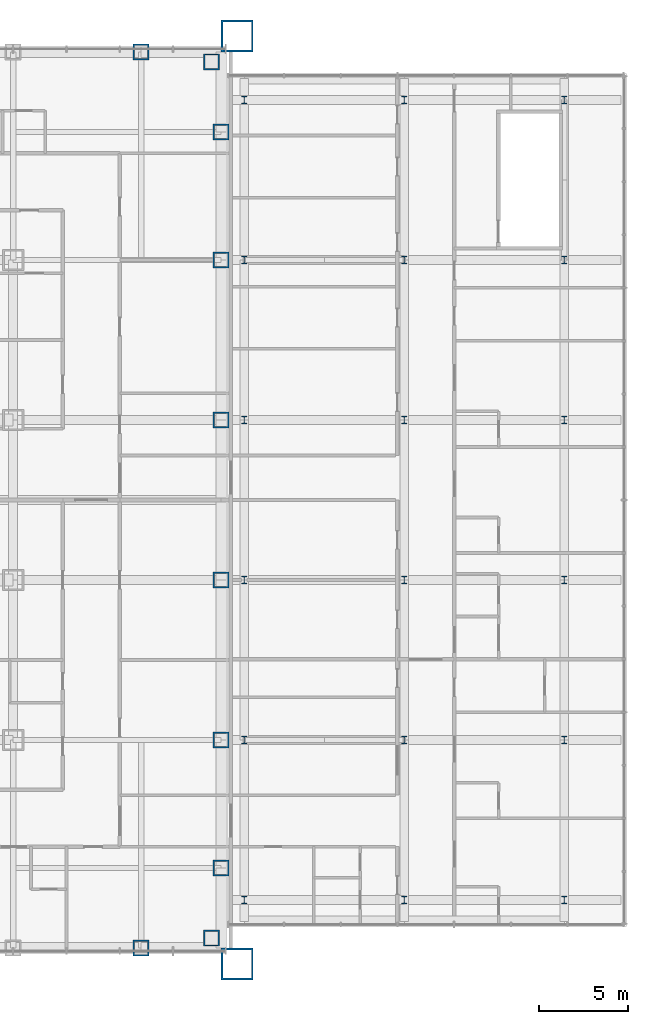
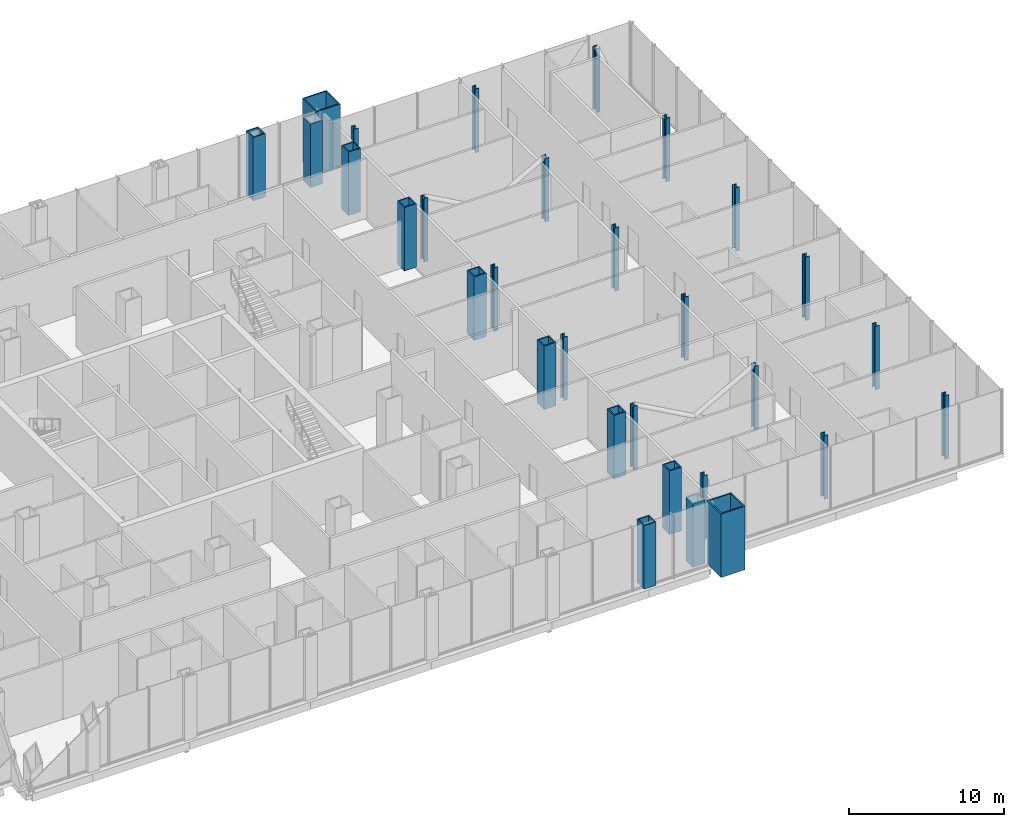
# One storey, part 4 of 28: 30 columns.
"""IFC4 building model written with IfcOpenShell, lengths in metres."""

from ifc_helpers import new_model, si_unit, direction, frame, origin, origin_2d, place, context, subcontext, project, spatial, hollow_rectangle, i_section, extrude, material, material_profile, profile_set, type_object, element, save


model = new_model("IFC4")

# Units and contexts
model_context = context("Model", 3, precision=1e-05, world=origin(), true_north=direction((0.0, 1.0)))
body_context = subcontext(model_context, "Body", "Model", "MODEL_VIEW")
ifc_project = project(units=[si_unit("LENGTHUNIT", "METRE"), si_unit("AREAUNIT", "SQUARE_METRE"), si_unit("VOLUMEUNIT", "CUBIC_METRE"), si_unit("PLANEANGLEUNIT", "RADIAN"), si_unit("MASSUNIT", "GRAM", prefix="KILO")], contexts=[model_context])

# Site, building, storey
site_placement = place(None, origin())
site = spatial("IfcSite", under=ifc_project, at=site_placement, CompositionType="ELEMENT")
building_placement = place(site_placement, origin())
building = spatial("IfcBuilding", under=site, at=building_placement, Name="Malebo Sky Hospital", CompositionType="ELEMENT")
storey_placement = place(building_placement, frame((0.0, 0.0, 21.0)))
storey = spatial("IfcBuildingStorey", under=building, at=storey_placement, Name="L04", CompositionType="ELEMENT", Elevation=21.0)

# Columns
ifc_material_1 = material(Name="Steel S460", Category="steel")
ifc_material_profile_1 = material_profile(ifc_material_1, hollow_rectangle(XDim=1.800048828125, YDim=1.800048828125, WallThickness=0.10009765625, at=origin_2d()), Name="BOX 1800x1800x100")
ifc_profile_set_1 = profile_set([ifc_material_profile_1], Name="Steel S460")
column_type_1 = type_object("IfcColumnType", Name="MEGA COLUMN BOX 1800x1800x100", PredefinedType="COLUMN", material=ifc_profile_set_1)
for number, where, z_axis, x_axis, name in (
    (1, (86.10009765625, 35.89990234375, 0.0), (0.0, 0.0, 1.0), (1.0, 0.0, 0.0), "Mega column SE L04"),
    (2, (86.10009765625, 88.10009765625, 0.0), (0.0, 0.0, 1.0), (1.0, 0.0, 0.0), "Mega column NE L04"),
):
    element("IfcColumn", number, at=place(storey_placement, frame(where, z_axis=z_axis, x_axis=x_axis)), inside=storey, type_object=column_type_1, Name=name, PredefinedType="COLUMN", context=body_context, shape_type="SweptSolid", body=[
        extrude(hollow_rectangle(XDim=1.800048828125, YDim=1.800048828125, WallThickness=0.10009765625, at=origin_2d()), origin(), (0.0, 0.0, 1.0), 5.0),
    ])
ifc_material_profile_2 = material_profile(ifc_material_1, hollow_rectangle(XDim=0.89990234375, YDim=0.89990234375, WallThickness=0.080078125, at=origin_2d()), Name="BOX 900x900x80")
ifc_profile_set_2 = profile_set([ifc_material_profile_2], Name="Steel S460")
column_type_2 = type_object("IfcColumnType", Name="PERIMETER COLUMN BOX 900x900x80", PredefinedType="COLUMN", material=ifc_profile_set_2)
for number, where, z_axis, x_axis, name in (
    (3, (85.199951171875, 41.300048828125, 0.0), (0.0, 0.0, 1.0), (1.0, 0.0, 0.0), "Column PC8 L04"),
    (4, (85.199951171875, 48.5, 0.0), (0.0, 0.0, 1.0), (1.0, 0.0, 0.0), "Column PC8 L04"),
    (5, (85.199951171875, 57.5, 0.0), (0.0, 0.0, 1.0), (1.0, 0.0, 0.0), "Column PC8 L04"),
    (6, (85.199951171875, 66.5, 0.0), (0.0, 0.0, 1.0), (1.0, 0.0, 0.0), "Column PC8 L04"),
    (7, (85.199951171875, 75.5, 0.0), (0.0, 0.0, 1.0), (1.0, 0.0, 0.0), "Column PC8 L04"),
    (8, (80.699951171875, 36.800048828125, 0.0), (0.0, 0.0, 1.0), (1.0, 0.0, 0.0), "Column PC8 L04"),
    (9, (80.699951171875, 87.199951171875, 0.0), (0.0, 0.0, 1.0), (1.0, 0.0, 0.0), "Column PC8 L04"),
    (10, (85.199951171875, 82.699951171875, 0.0), (0.0, 0.0, 1.0), (1.0, 0.0, 0.0), "Column PC8 L04"),
    (11, (84.64990234375, 37.35009765625, 0.0), (0.0, 0.0, 1.0), (1.0, 0.0, 0.0), "Column PC8 L04"),
    (12, (84.64990234375, 86.64990234375, 0.0), (0.0, 0.0, 1.0), (1.0, 0.0, 0.0), "Column PC8 L04"),
):
    element("IfcColumn", number, at=place(storey_placement, frame(where, z_axis=z_axis, x_axis=x_axis)), inside=storey, type_object=column_type_2, Name=name, PredefinedType="COLUMN", context=body_context, shape_type="SweptSolid", body=[
        extrude(hollow_rectangle(XDim=0.89990234375, YDim=0.89990234375, WallThickness=0.080078125, at=origin_2d()), origin(), (0.0, 0.0, 1.0), 5.0),
    ])
ifc_material_2 = material(Name="Steel S355", Category="steel")
ifc_material_profile_3 = material_profile(ifc_material_2, i_section(OverallWidth=0.306884765625, OverallDepth=0.431884765625, WebThickness=0.02099609375, FlangeThickness=0.0400390625, FilletRadius=0.027099609375, at=origin_2d()), Name="HEM 400")
ifc_profile_set_3 = profile_set([ifc_material_profile_3], Name="Steel S355")
column_type_3 = type_object("IfcColumnType", Name="PODIUM COLUMN HEM 400", PredefinedType="COLUMN", material=ifc_profile_set_3)
for number, where, z_axis, x_axis, name in (
    (13, (86.5, 39.5, 0.0), (0.0, 0.0, 1.0), (1.0, 0.0, 0.0), "Podium column 86.5/39.5 L04"),
    (14, (86.5, 48.5, 0.0), (0.0, 0.0, 1.0), (1.0, 0.0, 0.0), "Podium column 86.5/48.5 L04"),
    (15, (86.5, 57.5, 0.0), (0.0, 0.0, 1.0), (1.0, 0.0, 0.0), "Podium column 86.5/57.5 L04"),
    (16, (86.5, 66.5, 0.0), (0.0, 0.0, 1.0), (1.0, 0.0, 0.0), "Podium column 86.5/66.5 L04"),
    (17, (86.5, 75.5, 0.0), (0.0, 0.0, 1.0), (1.0, 0.0, 0.0), "Podium column 86.5/75.5 L04"),
    (18, (86.5, 84.5, 0.0), (0.0, 0.0, 1.0), (1.0, 0.0, 0.0), "Podium column 86.5/84.5 L04"),
    (19, (95.5, 39.5, 0.0), (0.0, 0.0, 1.0), (1.0, 0.0, 0.0), "Podium column 95.5/39.5 L04"),
    (20, (95.5, 48.5, 0.0), (0.0, 0.0, 1.0), (1.0, 0.0, 0.0), "Podium column 95.5/48.5 L04"),
    (21, (95.5, 57.5, 0.0), (0.0, 0.0, 1.0), (1.0, 0.0, 0.0), "Podium column 95.5/57.5 L04"),
    (22, (95.5, 66.5, 0.0), (0.0, 0.0, 1.0), (1.0, 0.0, 0.0), "Podium column 95.5/66.5 L04"),
    (23, (95.5, 75.5, 0.0), (0.0, 0.0, 1.0), (1.0, 0.0, 0.0), "Podium column 95.5/75.5 L04"),
    (24, (95.5, 84.5, 0.0), (0.0, 0.0, 1.0), (1.0, 0.0, 0.0), "Podium column 95.5/84.5 L04"),
    (25, (104.5, 39.5, 0.0), (0.0, 0.0, 1.0), (1.0, 0.0, 0.0), "Podium column 104.5/39.5 L04"),
    (26, (104.5, 48.5, 0.0), (0.0, 0.0, 1.0), (1.0, 0.0, 0.0), "Podium column 104.5/48.5 L04"),
    (27, (104.5, 57.5, 0.0), (0.0, 0.0, 1.0), (1.0, 0.0, 0.0), "Podium column 104.5/57.5 L04"),
    (28, (104.5, 66.5, 0.0), (0.0, 0.0, 1.0), (1.0, 0.0, 0.0), "Podium column 104.5/66.5 L04"),
    (29, (104.5, 75.5, 0.0), (0.0, 0.0, 1.0), (1.0, 0.0, 0.0), "Podium column 104.5/75.5 L04"),
    (30, (104.5, 84.5, 0.0), (0.0, 0.0, 1.0), (1.0, 0.0, 0.0), "Podium column 104.5/84.5 L04"),
):
    element("IfcColumn", number, at=place(storey_placement, frame(where, z_axis=z_axis, x_axis=x_axis)), inside=storey, type_object=column_type_3, Name=name, PredefinedType="COLUMN", context=body_context, shape_type="SweptSolid", body=[
        extrude(i_section(OverallWidth=0.306884765625, OverallDepth=0.431884765625, WebThickness=0.02099609375, FlangeThickness=0.0400390625, FilletRadius=0.027099609375, at=origin_2d()), origin(), (0.0, 0.0, 1.0), 5.0),
    ])

save(model, "model.ifc")
